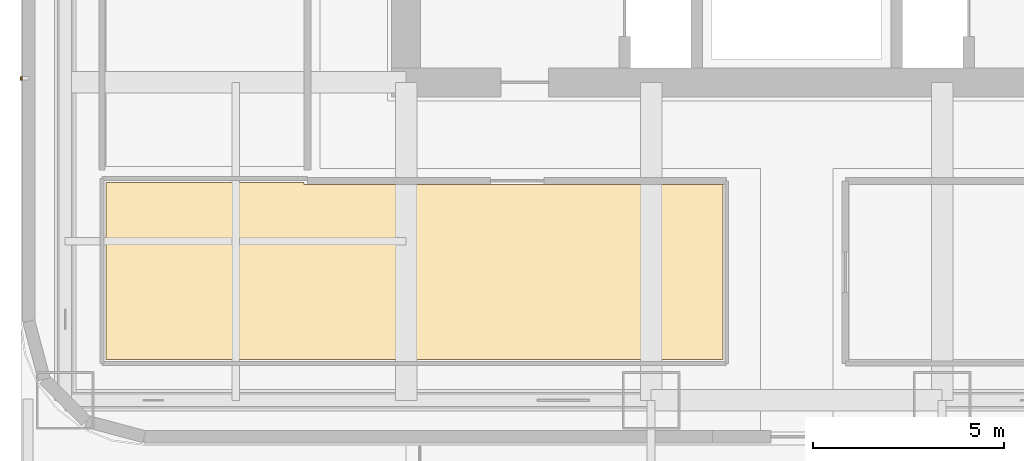
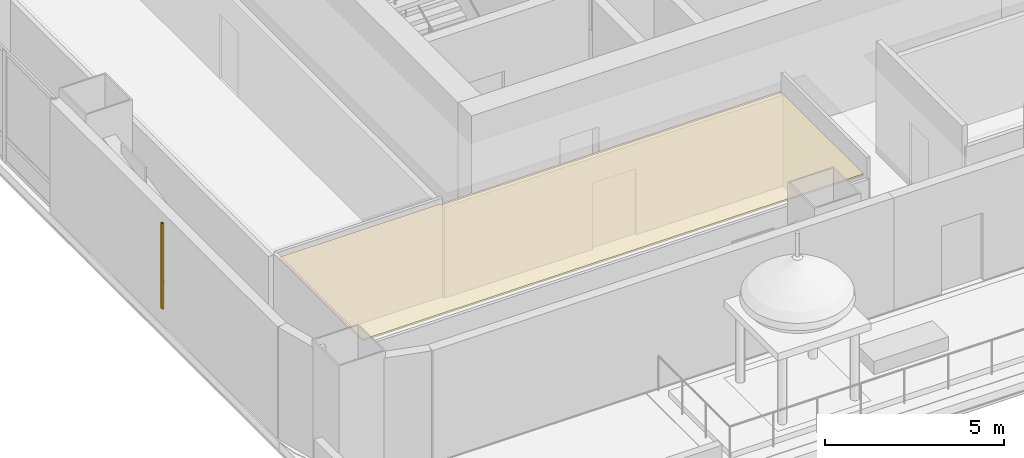
# One storey, part 17 of 28: 1 covering, 1 shading device.
"""IFC4 building model written with IfcOpenShell, lengths in metres."""

from ifc_helpers import new_model, si_unit, direction, frame, origin, origin_2d, place, context, subcontext, project, spatial, polyline, hollow_rectangle, outline, extrude, material, layer, layer_set, material_profile, profile_set, type_object, element, save


model = new_model("IFC4")

# Units and contexts
model_context = context("Model", 3, precision=1e-05, world=origin(), true_north=direction((0.0, 1.0)))
body_context = subcontext(model_context, "Body", "Model", "MODEL_VIEW")
ifc_project = project(units=[si_unit("LENGTHUNIT", "METRE"), si_unit("AREAUNIT", "SQUARE_METRE"), si_unit("VOLUMEUNIT", "CUBIC_METRE"), si_unit("PLANEANGLEUNIT", "RADIAN"), si_unit("MASSUNIT", "GRAM", prefix="KILO")], contexts=[model_context])

# Site, building, storey
site_placement = place(None, origin())
site = spatial("IfcSite", under=ifc_project, at=site_placement, CompositionType="ELEMENT")
building_placement = place(site_placement, origin())
building = spatial("IfcBuilding", under=site, at=building_placement, Name="Punatoya Terracotta Tower", CompositionType="ELEMENT")
storey_placement = place(building_placement, frame((0.0, 0.0, 93.0)))
storey = spatial("IfcBuildingStorey", under=building, at=storey_placement, Name="L21", CompositionType="ELEMENT", Elevation=93.0)

# Covering
ifc_material_1 = material(Name="Acoustic Mineral Fibre Ceiling")
ifc_layer = layer(ifc_material_1, 0.06005859375)
ifc_layer_set = layer_set([ifc_layer], Name="Acoustic Mineral Fibre Ceiling")
covering_type = type_object("IfcCoveringType", Name="COV-CEIL-60", PredefinedType="CEILING", material=ifc_layer_set)
covering_placement = place(storey_placement, frame((0.0, 0.0, 3.159912109375)))
element("IfcCovering", 1, at=covering_placement, inside=storey, type_object=covering_type, Name="L21 Media Broadcast Studio Acoustic Ceiling", PredefinedType="CEILING", context=body_context, shape_type="SweptSolid", body=[
    extrude(outline(polyline([(-12.8701171875, -11.8701171875), (-12.8701171875, -11.81005859375), (-18.0400390625, -11.81005859375), (-18.0400390625, -16.43994140625), (-1.927001953125, -16.43994140625), (-1.927001953125, -11.8701171875), (-12.8701171875, -11.8701171875)])), origin(), (0.0, 0.0, 1.0), 0.06005859375),
])

# Shading device
ifc_material_2 = material(Name="Architectural Fired Terracotta", Category="masonry")
ifc_material_profile = material_profile(ifc_material_2, hollow_rectangle(XDim=0.06005859375, YDim=0.090087890625, WallThickness=0.013916015625, at=origin_2d()))
ifc_profile_set = profile_set([ifc_material_profile], Name="Architectural Fired Terracotta")
shading_device_type = type_object("IfcShadingDeviceType", Name="SHD-JALI-90", PredefinedType="JALOUSIE", material=ifc_profile_set)
shading_device_placement = place(storey_placement, frame((-20.25, -9.093505859375, 0.60009765625), z_axis=(0.0, 0.0, 1.0), x_axis=(1.0, 0.0, 0.0)))
element("IfcShadingDevice", 2, at=shading_device_placement, inside=storey, type_object=shading_device_type, Name="L21 Braced Bay Terracotta Jali Fin W2", PredefinedType="JALOUSIE", context=body_context, shape_type="SweptSolid", body=[
    extrude(hollow_rectangle(XDim=0.06005859375, YDim=0.090087890625, WallThickness=0.013916015625, at=origin_2d()), origin(), (0.0, 0.0, 1.0), 2.909912109375),
])

save(model, "model.ifc")
